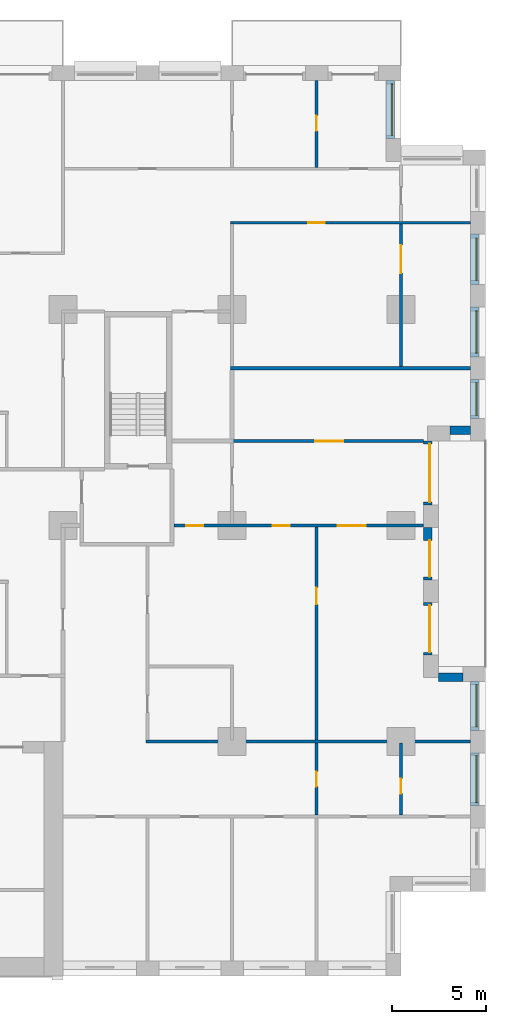
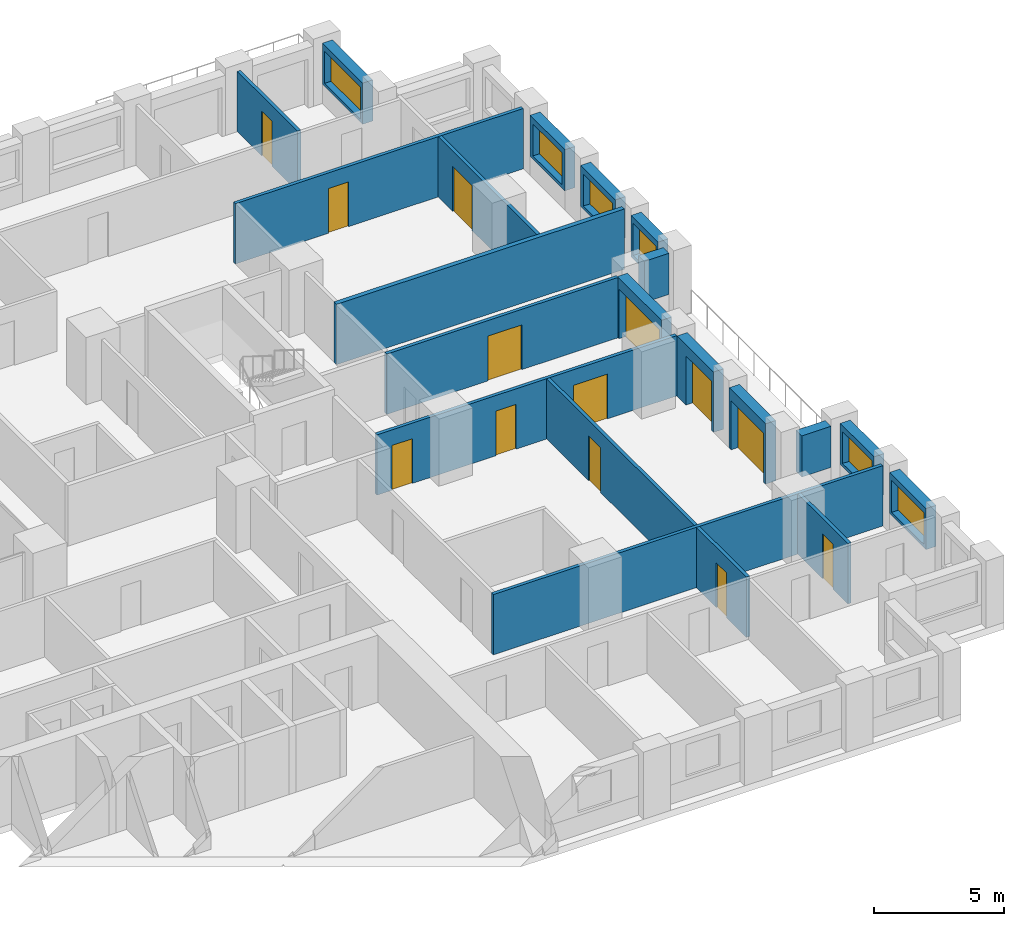
# One storey, part 16 of 19: 21 walls, 13 doors, 6 windows, 19 openings.
"""IFC4 building model written with IfcOpenShell, lengths in metres."""

from ifc_helpers import new_model, si_unit, direction, frame, frame_2d, origin, place, context, subcontext, project, spatial, rectangle, extrude, material, layer, layer_set, type_object, element, fill, save


model = new_model("IFC4")

# Units and contexts
model_context = context("Model", 3, precision=1e-05, world=origin(), true_north=direction((0.0, 1.0)))
body_context = subcontext(model_context, "Body", "Model", "MODEL_VIEW")
ifc_project = project(units=[si_unit("LENGTHUNIT", "METRE"), si_unit("AREAUNIT", "SQUARE_METRE"), si_unit("VOLUMEUNIT", "CUBIC_METRE"), si_unit("PLANEANGLEUNIT", "RADIAN"), si_unit("MASSUNIT", "GRAM", prefix="KILO")], contexts=[model_context])

# Site, building, storey
site_placement = place(None, origin())
site = spatial("IfcSite", under=ifc_project, at=site_placement, CompositionType="ELEMENT")
building_placement = place(site_placement, origin())
building = spatial("IfcBuilding", under=site, at=building_placement, Name="Brigalow Station Residences", CompositionType="ELEMENT")
storey_placement = place(building_placement, frame((0.0, 0.0, 32.10009765625)))
storey = spatial("IfcBuildingStorey", under=building, at=storey_placement, Name="L08", CompositionType="ELEMENT", Elevation=32.10009765625)

# Wall, opening, window
ifc_material_1 = material(Name="Clay brick masonry", Category="masonry")
ifc_layer_1 = layer(ifc_material_1, 0.449951171875)
ifc_layer_set_1 = layer_set([ifc_layer_1], Name="BRICK INFILL WALL 450")
wall_type_1 = type_object("IfcWallType", Name="BRICK INFILL WALL 450", PredefinedType="SOLIDWALL", material=ifc_layer_set_1)
wall_1_placement = place(storey_placement, frame((75.925048828125, 9.10009765625, 0.89990234375), z_axis=(0.0, 0.0, 1.0), x_axis=(0.0, 1.0, 0.0)))
wall_1 = element("IfcWall", 1, at=wall_1_placement, inside=storey, type_object=wall_type_1, Name="L08/ewall/W-L08-12", PredefinedType="SOLIDWALL", context=body_context, shape_type="SweptSolid", body=[
    extrude(rectangle(XDim=2.7998046875, YDim=0.449951171875, at=frame_2d((1.39990234375, 0.0))), origin(), (0.0, 0.0, 1.0), 1.929931640625),
])
opening_1_placement = place(wall_1_placement, frame((0.14990234375, 0.0, 0.14990234375)))
opening_1 = element("IfcOpeningElement", 2, at=opening_1_placement, cuts=wall_1, Name="Opening WT-5", PredefinedType="OPENING", context=body_context, shape_type="SweptSolid", body=[
    extrude(rectangle(XDim=2.5, YDim=1.5, at=frame_2d((1.25, 0.75))), frame((0.0, 0.23486328125, 0.0), z_axis=(0.0, -1.0, 0.0), x_axis=(1.0, 0.0, 0.0)), (0.0, 0.0, 1.0), 0.469970703125),
])
ifc_material_2 = material(Name="Anodised aluminium frame with double glazing", Category="aluminium")
window_type_1 = type_object("IfcWindowType", Name="WINDOW 2500x1500", PartitioningType="SINGLE_PANEL", PredefinedType="WINDOW", material=ifc_material_2)
window_1_placement = place(opening_1_placement, origin())
window_1 = element("IfcWindow", 3, at=window_1_placement, inside=storey, type_object=window_type_1, Name="L08/window/W-L08-12", OverallHeight=1.5, OverallWidth=2.5, PartitioningType="SINGLE_PANEL", PredefinedType="WINDOW", context=body_context, shape_type="SweptSolid", body=[
    extrude(rectangle(XDim=2.5, YDim=1.5, at=frame_2d((1.25, 0.75))), frame((0.0, -0.06494140625, 0.0), z_axis=(0.0, -1.0, 0.0), x_axis=(1.0, 0.0, 0.0)), (0.0, 0.0, 1.0), 0.06005859375),
])
fill(opening_1, window_1)

wall_2_placement = place(storey_placement, frame((75.925048828125, 13.10009765625, 0.89990234375), z_axis=(0.0, 0.0, 1.0), x_axis=(0.0, 1.0, 0.0)))
wall_2 = element("IfcWall", 4, at=wall_2_placement, inside=storey, type_object=wall_type_1, Name="L08/ewall/W-L08-13", PredefinedType="SOLIDWALL", context=body_context, shape_type="SweptSolid", body=[
    extrude(rectangle(XDim=2.599853515625, YDim=0.449951171875, at=frame_2d((1.2998046875, 0.0))), origin(), (0.0, 0.0, 1.0), 1.929931640625),
])
opening_2_placement = place(wall_2_placement, frame((0.175048828125, 0.0, 0.14990234375)))
opening_2 = element("IfcOpeningElement", 5, at=opening_2_placement, cuts=wall_2, Name="Opening WT-6", PredefinedType="OPENING", context=body_context, shape_type="SweptSolid", body=[
    extrude(rectangle(XDim=2.25, YDim=1.5, at=frame_2d((1.125, 0.75))), frame((0.0, 0.23486328125, 0.0), z_axis=(0.0, -1.0, 0.0), x_axis=(1.0, 0.0, 0.0)), (0.0, 0.0, 1.0), 0.469970703125),
])
ifc_material_3 = material(Name="Anodised aluminium frame with double glazing", Category="aluminium")
window_type_2 = type_object("IfcWindowType", Name="WINDOW 2250x1500", PartitioningType="SINGLE_PANEL", PredefinedType="WINDOW", material=ifc_material_3)
window_2_placement = place(opening_2_placement, origin())
window_2 = element("IfcWindow", 6, at=window_2_placement, inside=storey, type_object=window_type_2, Name="L08/window/W-L08-13", OverallHeight=1.5, OverallWidth=2.25, PartitioningType="SINGLE_PANEL", PredefinedType="WINDOW", context=body_context, shape_type="SweptSolid", body=[
    extrude(rectangle(XDim=2.25, YDim=1.5, at=frame_2d((1.125, 0.75))), frame((0.0, -0.06494140625, 0.0), z_axis=(0.0, -1.0, 0.0), x_axis=(1.0, 0.0, 0.0)), (0.0, 0.0, 1.0), 0.06005859375),
])
fill(opening_2, window_2)

# Wall
wall_3_placement = place(storey_placement, frame((75.300048828125, 15.925048828125, 0.89990234375), z_axis=(0.0, 0.0, 1.0), x_axis=(-1.0, 0.0, 0.0)))
element("IfcWall", 7, at=wall_3_placement, inside=storey, type_object=wall_type_1, Name="L08/ewall/W-L08-14", PredefinedType="SOLIDWALL", context=body_context, shape_type="SweptSolid", body=[
    extrude(rectangle(XDim=1.300048828125, YDim=0.449951171875, at=frame_2d((0.64990234375, 0.0))), origin(), (0.0, 0.0, 1.0), 1.929931640625),
])

# Wall, opening, door
wall_4_placement = place(storey_placement, frame((73.425048828125, 17.10009765625, 0.0), z_axis=(0.0, 0.0, 1.0), x_axis=(0.0, 1.0, 0.0)))
wall_4 = element("IfcWall", 8, at=wall_4_placement, inside=storey, type_object=wall_type_1, Name="L08/ewall/W-L08-15", PredefinedType="SOLIDWALL", context=body_context, shape_type="SweptSolid", body=[
    extrude(rectangle(XDim=2.7998046875, YDim=0.449951171875, at=frame_2d((1.39990234375, 0.0))), origin(), (0.0, 0.0, 1.0), 2.829833984375),
])
opening_3_placement = place(wall_4_placement, frame((0.14990234375, 0.0, 0.0)))
opening_3 = element("IfcOpeningElement", 9, at=opening_3_placement, cuts=wall_4, Name="Opening D-B2500", PredefinedType="OPENING", context=body_context, shape_type="SweptSolid", body=[
    extrude(rectangle(XDim=2.5, YDim=2.300048828125, at=frame_2d((1.25, 1.14990234375))), frame((0.0, 0.23486328125, 0.0), z_axis=(0.0, -1.0, 0.0), x_axis=(1.0, 0.0, 0.0)), (0.0, 0.0, 1.0), 0.469970703125),
])
ifc_material_4 = material(Name="Anodised aluminium frame with double glazing", Category="aluminium")
door_type_1 = type_object("IfcDoorType", Name="BALCONY SLIDING DOOR 2500x2300", OperationType="SLIDING_TO_LEFT", PredefinedType="DOOR", material=ifc_material_4)
door_1_placement = place(opening_3_placement, origin())
door_1 = element("IfcDoor", 10, at=door_1_placement, inside=storey, type_object=door_type_1, Name="L08/balcony-door/W-L08-15", OperationType="SLIDING_TO_LEFT", OverallHeight=2.300048828125, OverallWidth=2.5, PredefinedType="DOOR", context=body_context, shape_type="SweptSolid", body=[
    extrude(rectangle(XDim=2.5, YDim=2.300048828125, at=frame_2d((1.25, 1.14990234375))), frame((0.0, -0.06982421875, 0.0), z_axis=(0.0, -1.0, 0.0), x_axis=(1.0, 0.0, 0.0)), (0.0, 0.0, 1.0), 0.050048828125),
])
fill(opening_3, door_1)

wall_5_placement = place(storey_placement, frame((73.425048828125, 21.10009765625, 0.0), z_axis=(0.0, 0.0, 1.0), x_axis=(0.0, 1.0, 0.0)))
wall_5 = element("IfcWall", 11, at=wall_5_placement, inside=storey, type_object=wall_type_1, Name="L08/ewall/W-L08-16", PredefinedType="SOLIDWALL", context=body_context, shape_type="SweptSolid", body=[
    extrude(rectangle(XDim=2.7998046875, YDim=0.449951171875, at=frame_2d((1.39990234375, 0.0))), origin(), (0.0, 0.0, 1.0), 2.829833984375),
])
opening_4_placement = place(wall_5_placement, frame((0.1650390625, 0.0, 0.0)))
opening_4 = element("IfcOpeningElement", 12, at=opening_4_placement, cuts=wall_5, Name="Opening D-B1950", PredefinedType="OPENING", context=body_context, shape_type="SweptSolid", body=[
    extrude(rectangle(XDim=1.949951171875, YDim=2.300048828125, at=frame_2d((0.97509765625, 1.14990234375))), frame((0.0, 0.23486328125, 0.0), z_axis=(0.0, -1.0, 0.0), x_axis=(1.0, 0.0, 0.0)), (0.0, 0.0, 1.0), 0.469970703125),
])
ifc_material_5 = material(Name="Anodised aluminium frame with double glazing", Category="aluminium")
door_type_2 = type_object("IfcDoorType", Name="BALCONY SLIDING DOOR 1950x2300", OperationType="SLIDING_TO_LEFT", PredefinedType="DOOR", material=ifc_material_5)
door_2_placement = place(opening_4_placement, origin())
door_2 = element("IfcDoor", 13, at=door_2_placement, inside=storey, type_object=door_type_2, Name="L08/balcony-door/W-L08-16", OperationType="SLIDING_TO_LEFT", OverallHeight=2.300048828125, OverallWidth=1.949951171875, PredefinedType="DOOR", context=body_context, shape_type="SweptSolid", body=[
    extrude(rectangle(XDim=1.949951171875, YDim=2.300048828125, at=frame_2d((0.97509765625, 1.14990234375))), frame((0.0, -0.06982421875, 0.0), z_axis=(0.0, -1.0, 0.0), x_axis=(1.0, 0.0, 0.0)), (0.0, 0.0, 1.0), 0.050048828125),
])
fill(opening_4, door_2)

wall_6_placement = place(storey_placement, frame((73.425048828125, 25.10009765625, 0.0), z_axis=(0.0, 0.0, 1.0), x_axis=(0.0, 1.0, 0.0)))
wall_6 = element("IfcWall", 14, at=wall_6_placement, inside=storey, type_object=wall_type_1, Name="L08/ewall/W-L08-17", PredefinedType="SOLIDWALL", context=body_context, shape_type="SweptSolid", body=[
    extrude(rectangle(XDim=3.39990234375, YDim=0.449951171875, at=frame_2d((1.699951171875, 0.0))), origin(), (0.0, 0.0, 1.0), 2.829833984375),
])
opening_5_placement = place(wall_6_placement, frame((0.14990234375, 0.0, 0.0)))
opening_5 = element("IfcOpeningElement", 15, at=opening_5_placement, cuts=wall_6, Name="Opening D-B3100", PredefinedType="OPENING", context=body_context, shape_type="SweptSolid", body=[
    extrude(rectangle(XDim=3.10009765625, YDim=2.300048828125, at=frame_2d((1.550048828125, 1.14990234375))), frame((0.0, 0.23486328125, 0.0), z_axis=(0.0, -1.0, 0.0), x_axis=(1.0, 0.0, 0.0)), (0.0, 0.0, 1.0), 0.469970703125),
])
ifc_material_6 = material(Name="Anodised aluminium frame with double glazing", Category="aluminium")
door_type_3 = type_object("IfcDoorType", Name="BALCONY SLIDING DOOR 3100x2300", OperationType="SLIDING_TO_LEFT", PredefinedType="DOOR", material=ifc_material_6)
door_3_placement = place(opening_5_placement, origin())
door_3 = element("IfcDoor", 16, at=door_3_placement, inside=storey, type_object=door_type_3, Name="L08/balcony-door/W-L08-17", OperationType="SLIDING_TO_LEFT", OverallHeight=2.300048828125, OverallWidth=3.10009765625, PredefinedType="DOOR", context=body_context, shape_type="SweptSolid", body=[
    extrude(rectangle(XDim=3.10009765625, YDim=2.300048828125, at=frame_2d((1.550048828125, 1.14990234375))), frame((0.0, -0.06982421875, 0.0), z_axis=(0.0, -1.0, 0.0), x_axis=(1.0, 0.0, 0.0)), (0.0, 0.0, 1.0), 0.050048828125),
])
fill(opening_5, door_3)

# Wall
wall_7_placement = place(storey_placement, frame((74.60009765625, 29.074951171875, 0.89990234375), z_axis=(0.0, 0.0, 1.0), x_axis=(1.0, 0.0, 0.0)))
element("IfcWall", 17, at=wall_7_placement, inside=storey, type_object=wall_type_1, Name="L08/ewall/W-L08-18", PredefinedType="SOLIDWALL", context=body_context, shape_type="SweptSolid", body=[
    extrude(rectangle(XDim=1.099853515625, YDim=0.449951171875, at=frame_2d((0.5498046875, 0.0))), origin(), (0.0, 0.0, 1.0), 1.929931640625),
])

# Wall, opening, window
wall_8_placement = place(storey_placement, frame((75.925048828125, 29.699951171875, 0.89990234375), z_axis=(0.0, 0.0, 1.0), x_axis=(0.0, 1.0, 0.0)))
wall_8 = element("IfcWall", 18, at=wall_8_placement, inside=storey, type_object=wall_type_1, Name="L08/ewall/W-L08-19", PredefinedType="SOLIDWALL", context=body_context, shape_type="SweptSolid", body=[
    extrude(rectangle(XDim=2.074951171875, YDim=0.449951171875, at=frame_2d((1.03759765625, 0.0))), origin(), (0.0, 0.0, 1.0), 1.929931640625),
])
opening_6_placement = place(wall_8_placement, frame((0.16259765625, 0.0, 0.14990234375)))
opening_6 = element("IfcOpeningElement", 19, at=opening_6_placement, cuts=wall_8, Name="Opening WT-4", PredefinedType="OPENING", context=body_context, shape_type="SweptSolid", body=[
    extrude(rectangle(XDim=1.75, YDim=1.5, at=frame_2d((0.875, 0.75))), frame((0.0, 0.23486328125, 0.0), z_axis=(0.0, -1.0, 0.0), x_axis=(1.0, 0.0, 0.0)), (0.0, 0.0, 1.0), 0.469970703125),
])
ifc_material_7 = material(Name="Anodised aluminium frame with double glazing", Category="aluminium")
window_type_3 = type_object("IfcWindowType", Name="WINDOW 1750x1500", PartitioningType="SINGLE_PANEL", PredefinedType="WINDOW", material=ifc_material_7)
window_3_placement = place(opening_6_placement, origin())
window_3 = element("IfcWindow", 20, at=window_3_placement, inside=storey, type_object=window_type_3, Name="L08/window/W-L08-19", OverallHeight=1.5, OverallWidth=1.75, PartitioningType="SINGLE_PANEL", PredefinedType="WINDOW", context=body_context, shape_type="SweptSolid", body=[
    extrude(rectangle(XDim=1.75, YDim=1.5, at=frame_2d((0.875, 0.75))), frame((0.0, -0.06494140625, 0.0), z_axis=(0.0, -1.0, 0.0), x_axis=(1.0, 0.0, 0.0)), (0.0, 0.0, 1.0), 0.06005859375),
])
fill(opening_6, window_3)

wall_9_placement = place(storey_placement, frame((75.925048828125, 32.97509765625, 0.89990234375), z_axis=(0.0, 0.0, 1.0), x_axis=(0.0, 1.0, 0.0)))
wall_9 = element("IfcWall", 21, at=wall_9_placement, inside=storey, type_object=wall_type_1, Name="L08/ewall/W-L08-20", PredefinedType="SOLIDWALL", context=body_context, shape_type="SweptSolid", body=[
    extrude(rectangle(XDim=2.6748046875, YDim=0.449951171875, at=frame_2d((1.33740234375, 0.0))), origin(), (0.0, 0.0, 1.0), 1.929931640625),
])
opening_7_placement = place(wall_9_placement, frame((0.21240234375, 0.0, 0.14990234375)))
opening_7 = element("IfcOpeningElement", 22, at=opening_7_placement, cuts=wall_9, Name="Opening WT-6", PredefinedType="OPENING", context=body_context, shape_type="SweptSolid", body=[
    extrude(rectangle(XDim=2.25, YDim=1.5, at=frame_2d((1.125, 0.75))), frame((0.0, 0.23486328125, 0.0), z_axis=(0.0, -1.0, 0.0), x_axis=(1.0, 0.0, 0.0)), (0.0, 0.0, 1.0), 0.469970703125),
])
window_4_placement = place(opening_7_placement, origin())
window_4 = element("IfcWindow", 23, at=window_4_placement, inside=storey, type_object=window_type_2, Name="L08/window/W-L08-20", OverallHeight=1.5, OverallWidth=2.25, PartitioningType="SINGLE_PANEL", PredefinedType="WINDOW", context=body_context, shape_type="SweptSolid", body=[
    extrude(rectangle(XDim=2.25, YDim=1.5, at=frame_2d((1.125, 0.75))), frame((0.0, -0.06494140625, 0.0), z_axis=(0.0, -1.0, 0.0), x_axis=(1.0, 0.0, 0.0)), (0.0, 0.0, 1.0), 0.06005859375),
])
fill(opening_7, window_4)

wall_10_placement = place(storey_placement, frame((75.925048828125, 36.85009765625, 0.89990234375), z_axis=(0.0, 0.0, 1.0), x_axis=(0.0, 1.0, 0.0)))
wall_10 = element("IfcWall", 24, at=wall_10_placement, inside=storey, type_object=wall_type_1, Name="L08/ewall/W-L08-21", PredefinedType="SOLIDWALL", context=body_context, shape_type="SweptSolid", body=[
    extrude(rectangle(XDim=2.6748046875, YDim=0.449951171875, at=frame_2d((1.33740234375, 0.0))), origin(), (0.0, 0.0, 1.0), 1.929931640625),
])
opening_8_placement = place(wall_10_placement, frame((0.21240234375, 0.0, 0.14990234375)))
opening_8 = element("IfcOpeningElement", 25, at=opening_8_placement, cuts=wall_10, Name="Opening WT-6", PredefinedType="OPENING", context=body_context, shape_type="SweptSolid", body=[
    extrude(rectangle(XDim=2.25, YDim=1.5, at=frame_2d((1.125, 0.75))), frame((0.0, 0.23486328125, 0.0), z_axis=(0.0, -1.0, 0.0), x_axis=(1.0, 0.0, 0.0)), (0.0, 0.0, 1.0), 0.469970703125),
])
window_5_placement = place(opening_8_placement, origin())
window_5 = element("IfcWindow", 26, at=window_5_placement, inside=storey, type_object=window_type_2, Name="L08/window/W-L08-21", OverallHeight=1.5, OverallWidth=2.25, PartitioningType="SINGLE_PANEL", PredefinedType="WINDOW", context=body_context, shape_type="SweptSolid", body=[
    extrude(rectangle(XDim=2.25, YDim=1.5, at=frame_2d((1.125, 0.75))), frame((0.0, -0.06494140625, 0.0), z_axis=(0.0, -1.0, 0.0), x_axis=(1.0, 0.0, 0.0)), (0.0, 0.0, 1.0), 0.06005859375),
])
fill(opening_8, window_5)

wall_11_placement = place(storey_placement, frame((71.425048828125, 44.60009765625, 0.89990234375), z_axis=(0.0, 0.0, 1.0), x_axis=(0.0, 1.0, 0.0)))
wall_11 = element("IfcWall", 27, at=wall_11_placement, inside=storey, type_object=wall_type_1, Name="L08/ewall/W-L08-24", PredefinedType="SOLIDWALL", context=body_context, shape_type="SweptSolid", body=[
    extrude(rectangle(XDim=3.099853515625, YDim=0.449951171875, at=frame_2d((1.5498046875, 0.0))), origin(), (0.0, 0.0, 1.0), 1.929931640625),
])
opening_9_placement = place(wall_11_placement, frame((0.175048828125, 0.0, 0.14990234375)))
opening_9 = element("IfcOpeningElement", 28, at=opening_9_placement, cuts=wall_11, Name="Opening WT-3", PredefinedType="OPENING", context=body_context, shape_type="SweptSolid", body=[
    extrude(rectangle(XDim=2.75, YDim=1.5, at=frame_2d((1.375, 0.75))), frame((0.0, 0.23486328125, 0.0), z_axis=(0.0, -1.0, 0.0), x_axis=(1.0, 0.0, 0.0)), (0.0, 0.0, 1.0), 0.469970703125),
])
ifc_material_8 = material(Name="Anodised aluminium frame with double glazing", Category="aluminium")
window_type_4 = type_object("IfcWindowType", Name="WINDOW 2750x1500", PartitioningType="SINGLE_PANEL", PredefinedType="WINDOW", material=ifc_material_8)
window_6_placement = place(opening_9_placement, origin())
window_6 = element("IfcWindow", 29, at=window_6_placement, inside=storey, type_object=window_type_4, Name="L08/window/W-L08-24", OverallHeight=1.5, OverallWidth=2.75, PartitioningType="SINGLE_PANEL", PredefinedType="WINDOW", context=body_context, shape_type="SweptSolid", body=[
    extrude(rectangle(XDim=2.75, YDim=1.5, at=frame_2d((1.375, 0.75))), frame((0.0, -0.06494140625, 0.0), z_axis=(0.0, -1.0, 0.0), x_axis=(1.0, 0.0, 0.0)), (0.0, 0.0, 1.0), 0.06005859375),
])
fill(opening_9, window_6)

# Wall, openings, doors
ifc_material_9 = material(Name="Plasterboard on steel stud partition", Category="steel")
ifc_layer_2 = layer(ifc_material_9, 0.14990234375)
ifc_layer_set_2 = layer_set([ifc_layer_2], Name="FLAT PARTITION 150")
wall_type_2 = type_object("IfcWallType", Name="FLAT PARTITION 150", PredefinedType="PARTITIONING", material=ifc_layer_set_2)
wall_12_placement = place(storey_placement, frame((59.89990234375, 24.0, 0.0), z_axis=(0.0, 0.0, 1.0), x_axis=(1.0, 0.0, 0.0)))
wall_12 = element("IfcWall", 30, at=wall_12_placement, inside=storey, type_object=wall_type_2, Name="PW-1B03", PredefinedType="PARTITIONING", context=body_context, shape_type="SweptSolid", body=[
    extrude(rectangle(XDim=13.300048828125, YDim=0.14990234375, at=frame_2d((6.64990234375, 0.0))), origin(), (0.0, 0.0, 1.0), 2.829833984375),
])
opening_10_placement = place(wall_12_placement, frame((5.27490234375, 0.0, 0.0)))
opening_10 = element("IfcOpeningElement", 31, at=opening_10_placement, cuts=wall_12, Name="Opening D-1B59", PredefinedType="OPENING", context=body_context, shape_type="SweptSolid", body=[
    extrude(rectangle(XDim=0.89990234375, YDim=2.10009765625, at=frame_2d((0.449951171875, 1.050048828125))), frame((0.0, 0.0849609375, 0.0), z_axis=(0.0, -1.0, 0.0), x_axis=(1.0, 0.0, 0.0)), (0.0, 0.0, 1.0), 0.169921875),
])
opening_11_placement = place(wall_12_placement, frame((8.72509765625, 0.0, 0.0)))
opening_11 = element("IfcOpeningElement", 32, at=opening_11_placement, cuts=wall_12, Name="Opening D-1B60", PredefinedType="OPENING", context=body_context, shape_type="SweptSolid", body=[
    extrude(rectangle(XDim=1.5, YDim=2.10009765625, at=frame_2d((0.75, 1.050048828125))), frame((0.0, 0.0849609375, 0.0), z_axis=(0.0, -1.0, 0.0), x_axis=(1.0, 0.0, 0.0)), (0.0, 0.0, 1.0), 0.169921875),
])
opening_12_placement = place(wall_12_placement, frame((0.675048828125, 0.0, 0.0)))
opening_12 = element("IfcOpeningElement", 33, at=opening_12_placement, cuts=wall_12, Name="Opening D-1B67", PredefinedType="OPENING", context=body_context, shape_type="SweptSolid", body=[
    extrude(rectangle(XDim=0.89990234375, YDim=2.10009765625, at=frame_2d((0.449951171875, 1.050048828125))), frame((0.0, 0.0849609375, 0.0), z_axis=(0.0, -1.0, 0.0), x_axis=(1.0, 0.0, 0.0)), (0.0, 0.0, 1.0), 0.169921875),
])
ifc_material_10 = material(Name="Solid-core timber door leaf", Category="wood")
door_type_4 = type_object("IfcDoorType", Name="INTERNAL DOOR 900 x 2100", OperationType="SINGLE_SWING_LEFT", PredefinedType="DOOR", material=ifc_material_10)
door_4_placement = place(opening_10_placement, origin())
door_4 = element("IfcDoor", 34, at=door_4_placement, inside=storey, type_object=door_type_4, Name="D-1B59", OperationType="SINGLE_SWING_LEFT", OverallHeight=2.10009765625, OverallWidth=0.89990234375, PredefinedType="DOOR", context=body_context, shape_type="SweptSolid", body=[
    extrude(rectangle(XDim=0.89990234375, YDim=2.10009765625, at=frame_2d((0.449951171875, 1.050048828125))), frame((0.0, 0.02490234375, 0.0), z_axis=(0.0, -1.0, 0.0), x_axis=(1.0, 0.0, 0.0)), (0.0, 0.0, 1.0), 0.050048828125),
])
fill(opening_10, door_4)
door_5_placement = place(opening_12_placement, origin())
door_5 = element("IfcDoor", 35, at=door_5_placement, inside=storey, type_object=door_type_4, Name="D-1B67", OperationType="SINGLE_SWING_LEFT", OverallHeight=2.10009765625, OverallWidth=0.89990234375, PredefinedType="DOOR", context=body_context, shape_type="SweptSolid", body=[
    extrude(rectangle(XDim=0.89990234375, YDim=2.10009765625, at=frame_2d((0.449951171875, 1.050048828125))), frame((0.0, 0.02490234375, 0.0), z_axis=(0.0, -1.0, 0.0), x_axis=(1.0, 0.0, 0.0)), (0.0, 0.0, 1.0), 0.050048828125),
])
fill(opening_12, door_5)
ifc_material_11 = material(Name="Solid-core timber door leaf", Category="wood")
door_type_5 = type_object("IfcDoorType", Name="INTERNAL DOUBLE DOOR 1500 x 2100", OperationType="DOUBLE_DOOR_SINGLE_SWING", PredefinedType="DOOR", material=ifc_material_11)
door_6_placement = place(opening_11_placement, origin())
door_6 = element("IfcDoor", 36, at=door_6_placement, inside=storey, type_object=door_type_5, Name="D-1B60", OperationType="DOUBLE_DOOR_SINGLE_SWING", OverallHeight=2.10009765625, OverallWidth=1.5, PredefinedType="DOOR", context=body_context, shape_type="SweptSolid", body=[
    extrude(rectangle(XDim=1.5, YDim=2.10009765625, at=frame_2d((0.75, 1.050048828125))), frame((0.0, 0.02490234375, 0.0), z_axis=(0.0, -1.0, 0.0), x_axis=(1.0, 0.0, 0.0)), (0.0, 0.0, 1.0), 0.050048828125),
])
fill(opening_11, door_6)

# Wall
wall_13_placement = place(storey_placement, frame((58.425048828125, 12.5, 0.0), z_axis=(0.0, 0.0, 1.0), x_axis=(1.0, 0.0, 0.0)))
element("IfcWall", 37, at=wall_13_placement, inside=storey, type_object=wall_type_2, Name="PW-1B11", PredefinedType="PARTITIONING", context=body_context, shape_type="SweptSolid", body=[
    extrude(rectangle(XDim=17.27490234375, YDim=0.14990234375, at=frame_2d((8.637451171875, 0.0))), origin(), (0.0, 0.0, 1.0), 2.829833984375),
])

# Wall, opening, door
wall_14_placement = place(storey_placement, frame((62.925048828125, 28.5, 0.0), z_axis=(0.0, 0.0, 1.0), x_axis=(1.0, 0.0, 0.0)))
wall_14 = element("IfcWall", 38, at=wall_14_placement, inside=storey, type_object=wall_type_2, Name="PW-1B20", PredefinedType="PARTITIONING", context=body_context, shape_type="SweptSolid", body=[
    extrude(rectangle(XDim=10.27490234375, YDim=0.14990234375, at=frame_2d((5.137451171875, 0.0))), origin(), (0.0, 0.0, 1.0), 2.829833984375),
])
opening_13_placement = place(wall_14_placement, frame((4.5, 0.0, 0.0)))
opening_13 = element("IfcOpeningElement", 39, at=opening_13_placement, cuts=wall_14, Name="Opening D-1B58", PredefinedType="OPENING", context=body_context, shape_type="SweptSolid", body=[
    extrude(rectangle(XDim=1.5, YDim=2.10009765625, at=frame_2d((0.75, 1.050048828125))), frame((0.0, 0.0849609375, 0.0), z_axis=(0.0, -1.0, 0.0), x_axis=(1.0, 0.0, 0.0)), (0.0, 0.0, 1.0), 0.169921875),
])
door_7_placement = place(opening_13_placement, frame((1.5, 0.0, 0.0), z_axis=(0.0, 0.0, 1.0), x_axis=(-1.0, 0.0, 0.0)))
door_7 = element("IfcDoor", 40, at=door_7_placement, inside=storey, type_object=door_type_5, Name="D-1B58", OperationType="DOUBLE_DOOR_SINGLE_SWING", OverallHeight=2.10009765625, OverallWidth=1.5, PredefinedType="DOOR", context=body_context, shape_type="SweptSolid", body=[
    extrude(rectangle(XDim=1.5, YDim=2.10009765625, at=frame_2d((0.75, 1.050048828125))), frame((0.0, 0.02490234375, 0.0), z_axis=(0.0, -1.0, 0.0), x_axis=(1.0, 0.0, 0.0)), (0.0, 0.0, 1.0), 0.050048828125),
])
fill(opening_13, door_7)

wall_15_placement = place(storey_placement, frame((62.925048828125, 40.125, 0.0), z_axis=(0.0, 0.0, 1.0), x_axis=(1.0, 0.0, 0.0)))
wall_15 = element("IfcWall", 41, at=wall_15_placement, inside=storey, type_object=wall_type_2, Name="PW-1B31", PredefinedType="PARTITIONING", context=body_context, shape_type="SweptSolid", body=[
    extrude(rectangle(XDim=12.77490234375, YDim=0.14990234375, at=frame_2d((6.387451171875, 0.0))), origin(), (0.0, 0.0, 1.0), 2.829833984375),
])
opening_14_placement = place(wall_15_placement, frame((4.125, 0.0, 0.0)))
opening_14 = element("IfcOpeningElement", 42, at=opening_14_placement, cuts=wall_15, Name="Opening D-1B45", PredefinedType="OPENING", context=body_context, shape_type="SweptSolid", body=[
    extrude(rectangle(XDim=0.89990234375, YDim=2.10009765625, at=frame_2d((0.449951171875, 1.050048828125))), frame((0.0, 0.0849609375, 0.0), z_axis=(0.0, -1.0, 0.0), x_axis=(1.0, 0.0, 0.0)), (0.0, 0.0, 1.0), 0.169921875),
])
door_8_placement = place(opening_14_placement, frame((0.89990234375, 0.0, 0.0), z_axis=(0.0, 0.0, 1.0), x_axis=(-1.0, 0.0, 0.0)))
door_8 = element("IfcDoor", 43, at=door_8_placement, inside=storey, type_object=door_type_4, Name="D-1B45", OperationType="SINGLE_SWING_RIGHT", OverallHeight=2.10009765625, OverallWidth=0.89990234375, PredefinedType="DOOR", context=body_context, shape_type="SweptSolid", body=[
    extrude(rectangle(XDim=0.89990234375, YDim=2.10009765625, at=frame_2d((0.449951171875, 1.050048828125))), frame((0.0, 0.02490234375, 0.0), z_axis=(0.0, -1.0, 0.0), x_axis=(1.0, 0.0, 0.0)), (0.0, 0.0, 1.0), 0.050048828125),
])
fill(opening_14, door_8)

wall_16_placement = place(storey_placement, frame((72.0, 8.574951171875, 0.0), z_axis=(0.0, 0.0, 1.0), x_axis=(0.0, 1.0, 0.0)))
wall_16 = element("IfcWall", 44, at=wall_16_placement, inside=storey, type_object=wall_type_2, Name="PW-1B74", PredefinedType="PARTITIONING", context=body_context, shape_type="SweptSolid", body=[
    extrude(rectangle(XDim=3.85009765625, YDim=0.14990234375, at=frame_2d((1.925048828125, 0.0))), origin(), (0.0, 0.0, 1.0), 2.829833984375),
])
opening_15_placement = place(wall_16_placement, frame((1.14990234375, 0.0, 0.0)))
opening_15 = element("IfcOpeningElement", 45, at=opening_15_placement, cuts=wall_16, Name="Opening D-1B63", PredefinedType="OPENING", context=body_context, shape_type="SweptSolid", body=[
    extrude(rectangle(XDim=0.800048828125, YDim=2.10009765625, at=frame_2d((0.39990234375, 1.050048828125))), frame((0.0, 0.0849609375, 0.0), z_axis=(0.0, -1.0, 0.0), x_axis=(1.0, 0.0, 0.0)), (0.0, 0.0, 1.0), 0.169921875),
])
ifc_material_12 = material(Name="Solid-core timber door leaf", Category="wood")
door_type_6 = type_object("IfcDoorType", Name="INTERNAL DOOR 800 x 2100", OperationType="SINGLE_SWING_LEFT", PredefinedType="DOOR", material=ifc_material_12)
door_9_placement = place(opening_15_placement, frame((0.800048828125, 0.0, 0.0), z_axis=(0.0, 0.0, 1.0), x_axis=(-1.0, 0.0, 0.0)))
door_9 = element("IfcDoor", 46, at=door_9_placement, inside=storey, type_object=door_type_6, Name="D-1B63", OperationType="SINGLE_SWING_RIGHT", OverallHeight=2.10009765625, OverallWidth=0.800048828125, PredefinedType="DOOR", context=body_context, shape_type="SweptSolid", body=[
    extrude(rectangle(XDim=0.800048828125, YDim=2.10009765625, at=frame_2d((0.39990234375, 1.050048828125))), frame((0.0, 0.02490234375, 0.0), z_axis=(0.0, -1.0, 0.0), x_axis=(1.0, 0.0, 0.0)), (0.0, 0.0, 1.0), 0.050048828125),
])
fill(opening_15, door_9)

wall_17_placement = place(storey_placement, frame((72.0, 32.47509765625, 0.0), z_axis=(0.0, 0.0, 1.0), x_axis=(0.0, 1.0, 0.0)))
wall_17 = element("IfcWall", 47, at=wall_17_placement, inside=storey, type_object=wall_type_2, Name="PW-1B75", PredefinedType="PARTITIONING", context=body_context, shape_type="SweptSolid", body=[
    extrude(rectangle(XDim=7.574951171875, YDim=0.14990234375, at=frame_2d((3.78759765625, 0.0))), origin(), (0.0, 0.0, 1.0), 2.829833984375),
])
opening_16_placement = place(wall_17_placement, frame((4.962890625, 0.0, 0.0)))
opening_16 = element("IfcOpeningElement", 48, at=opening_16_placement, cuts=wall_17, Name="Opening D-1B52", PredefinedType="OPENING", context=body_context, shape_type="SweptSolid", body=[
    extrude(rectangle(XDim=1.5, YDim=2.10009765625, at=frame_2d((0.75, 1.050048828125))), frame((0.0, 0.0849609375, 0.0), z_axis=(0.0, -1.0, 0.0), x_axis=(1.0, 0.0, 0.0)), (0.0, 0.0, 1.0), 0.169921875),
])
door_10_placement = place(opening_16_placement, frame((1.5, 0.0, 0.0), z_axis=(0.0, 0.0, 1.0), x_axis=(-1.0, 0.0, 0.0)))
door_10 = element("IfcDoor", 49, at=door_10_placement, inside=storey, type_object=door_type_5, Name="D-1B52", OperationType="DOUBLE_DOOR_SINGLE_SWING", OverallHeight=2.10009765625, OverallWidth=1.5, PredefinedType="DOOR", context=body_context, shape_type="SweptSolid", body=[
    extrude(rectangle(XDim=1.5, YDim=2.10009765625, at=frame_2d((0.75, 1.050048828125))), frame((0.0, 0.02490234375, 0.0), z_axis=(0.0, -1.0, 0.0), x_axis=(1.0, 0.0, 0.0)), (0.0, 0.0, 1.0), 0.050048828125),
])
fill(opening_16, door_10)

wall_18_placement = place(storey_placement, frame((67.5, 8.574951171875, 0.0), z_axis=(0.0, 0.0, 1.0), x_axis=(0.0, 1.0, 0.0)))
wall_18 = element("IfcWall", 50, at=wall_18_placement, inside=storey, type_object=wall_type_2, Name="PW-1B79", PredefinedType="PARTITIONING", context=body_context, shape_type="SweptSolid", body=[
    extrude(rectangle(XDim=3.85009765625, YDim=0.14990234375, at=frame_2d((1.925048828125, 0.0))), origin(), (0.0, 0.0, 1.0), 2.829833984375),
])
opening_17_placement = place(wall_18_placement, frame((1.52490234375, 0.0, 0.0)))
opening_17 = element("IfcOpeningElement", 51, at=opening_17_placement, cuts=wall_18, Name="Opening D-1B65", PredefinedType="OPENING", context=body_context, shape_type="SweptSolid", body=[
    extrude(rectangle(XDim=0.800048828125, YDim=2.10009765625, at=frame_2d((0.39990234375, 1.050048828125))), frame((0.0, 0.0849609375, 0.0), z_axis=(0.0, -1.0, 0.0), x_axis=(1.0, 0.0, 0.0)), (0.0, 0.0, 1.0), 0.169921875),
])
door_11_placement = place(opening_17_placement, frame((0.800048828125, 0.0, 0.0), z_axis=(0.0, 0.0, 1.0), x_axis=(-1.0, 0.0, 0.0)))
door_11 = element("IfcDoor", 52, at=door_11_placement, inside=storey, type_object=door_type_6, Name="D-1B65", OperationType="SINGLE_SWING_RIGHT", OverallHeight=2.10009765625, OverallWidth=0.800048828125, PredefinedType="DOOR", context=body_context, shape_type="SweptSolid", body=[
    extrude(rectangle(XDim=0.800048828125, YDim=2.10009765625, at=frame_2d((0.39990234375, 1.050048828125))), frame((0.0, 0.02490234375, 0.0), z_axis=(0.0, -1.0, 0.0), x_axis=(1.0, 0.0, 0.0)), (0.0, 0.0, 1.0), 0.050048828125),
])
fill(opening_17, door_11)

wall_19_placement = place(storey_placement, frame((67.5, 12.574951171875, 0.0), z_axis=(0.0, 0.0, 1.0), x_axis=(0.0, 1.0, 0.0)))
wall_19 = element("IfcWall", 53, at=wall_19_placement, inside=storey, type_object=wall_type_2, Name="PW-1B80", PredefinedType="PARTITIONING", context=body_context, shape_type="SweptSolid", body=[
    extrude(rectangle(XDim=11.35009765625, YDim=0.14990234375, at=frame_2d((5.675048828125, 0.0))), origin(), (0.0, 0.0, 1.0), 2.829833984375),
])
opening_18_placement = place(wall_19_placement, frame((7.22509765625, 0.0, 0.0)))
opening_18 = element("IfcOpeningElement", 54, at=opening_18_placement, cuts=wall_19, Name="Opening D-1B66", PredefinedType="OPENING", context=body_context, shape_type="SweptSolid", body=[
    extrude(rectangle(XDim=0.89990234375, YDim=2.10009765625, at=frame_2d((0.449951171875, 1.050048828125))), frame((0.0, 0.0849609375, 0.0), z_axis=(0.0, -1.0, 0.0), x_axis=(1.0, 0.0, 0.0)), (0.0, 0.0, 1.0), 0.169921875),
])
door_12_placement = place(opening_18_placement, frame((0.89990234375, 0.0, 0.0), z_axis=(0.0, 0.0, 1.0), x_axis=(-1.0, 0.0, 0.0)))
door_12 = element("IfcDoor", 55, at=door_12_placement, inside=storey, type_object=door_type_4, Name="D-1B66", OperationType="SINGLE_SWING_LEFT", OverallHeight=2.10009765625, OverallWidth=0.89990234375, PredefinedType="DOOR", context=body_context, shape_type="SweptSolid", body=[
    extrude(rectangle(XDim=0.89990234375, YDim=2.10009765625, at=frame_2d((0.449951171875, 1.050048828125))), frame((0.0, 0.02490234375, 0.0), z_axis=(0.0, -1.0, 0.0), x_axis=(1.0, 0.0, 0.0)), (0.0, 0.0, 1.0), 0.050048828125),
])
fill(opening_18, door_12)

wall_20_placement = place(storey_placement, frame((67.5, 43.074951171875, 0.0), z_axis=(0.0, 0.0, 1.0), x_axis=(0.0, 1.0, 0.0)))
wall_20 = element("IfcWall", 56, at=wall_20_placement, inside=storey, type_object=wall_type_2, Name="PW-1B81", PredefinedType="PARTITIONING", context=body_context, shape_type="SweptSolid", body=[
    extrude(rectangle(XDim=4.625, YDim=0.14990234375, at=frame_2d((2.3125, 0.0))), origin(), (0.0, 0.0, 1.0), 2.829833984375),
])
opening_19_placement = place(wall_20_placement, frame((1.949951171875, 0.0, 0.0)))
opening_19 = element("IfcOpeningElement", 57, at=opening_19_placement, cuts=wall_20, Name="Opening D-1B37", PredefinedType="OPENING", context=body_context, shape_type="SweptSolid", body=[
    extrude(rectangle(XDim=0.800048828125, YDim=2.10009765625, at=frame_2d((0.39990234375, 1.050048828125))), frame((0.0, 0.0849609375, 0.0), z_axis=(0.0, -1.0, 0.0), x_axis=(1.0, 0.0, 0.0)), (0.0, 0.0, 1.0), 0.169921875),
])
door_13_placement = place(opening_19_placement, origin())
door_13 = element("IfcDoor", 58, at=door_13_placement, inside=storey, type_object=door_type_6, Name="D-1B37", OperationType="SINGLE_SWING_RIGHT", OverallHeight=2.10009765625, OverallWidth=0.800048828125, PredefinedType="DOOR", context=body_context, shape_type="SweptSolid", body=[
    extrude(rectangle(XDim=0.800048828125, YDim=2.10009765625, at=frame_2d((0.39990234375, 1.050048828125))), frame((0.0, 0.02490234375, 0.0), z_axis=(0.0, -1.0, 0.0), x_axis=(1.0, 0.0, 0.0)), (0.0, 0.0, 1.0), 0.050048828125),
])
fill(opening_19, door_13)

# Wall
ifc_material_13 = material(Name="Plasterboard on steel stud partition", Category="steel")
ifc_layer_3 = layer(ifc_material_13, 0.199951171875)
ifc_layer_set_3 = layer_set([ifc_layer_3], Name="PARTY AND CORRIDOR WALL 200")
wall_type_3 = type_object("IfcWallType", Name="PARTY AND CORRIDOR WALL 200", PredefinedType="PARTITIONING", material=ifc_layer_set_3)
wall_21_placement = place(storey_placement, frame((62.925048828125, 32.375, 0.0), z_axis=(0.0, 0.0, 1.0), x_axis=(1.0, 0.0, 0.0)))
element("IfcWall", 59, at=wall_21_placement, inside=storey, type_object=wall_type_3, Name="PW-1B18", PredefinedType="PARTITIONING", context=body_context, shape_type="SweptSolid", body=[
    extrude(rectangle(XDim=12.77490234375, YDim=0.199951171875, at=frame_2d((6.387451171875, 0.0))), origin(), (0.0, 0.0, 1.0), 2.829833984375),
])

save(model, "model.ifc")
